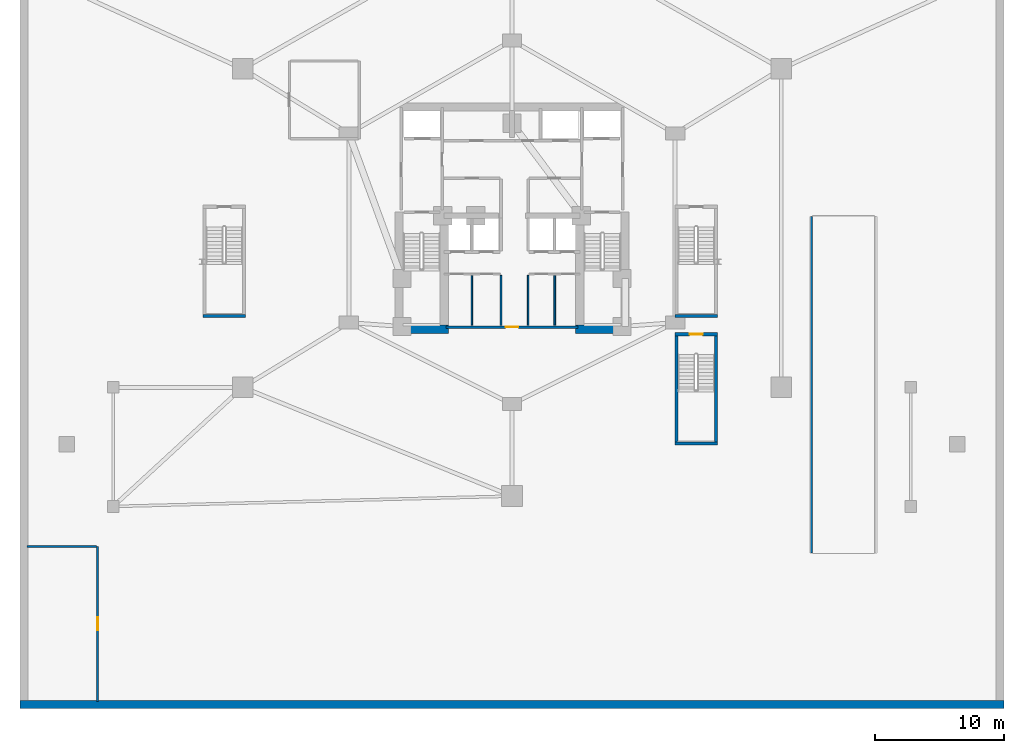
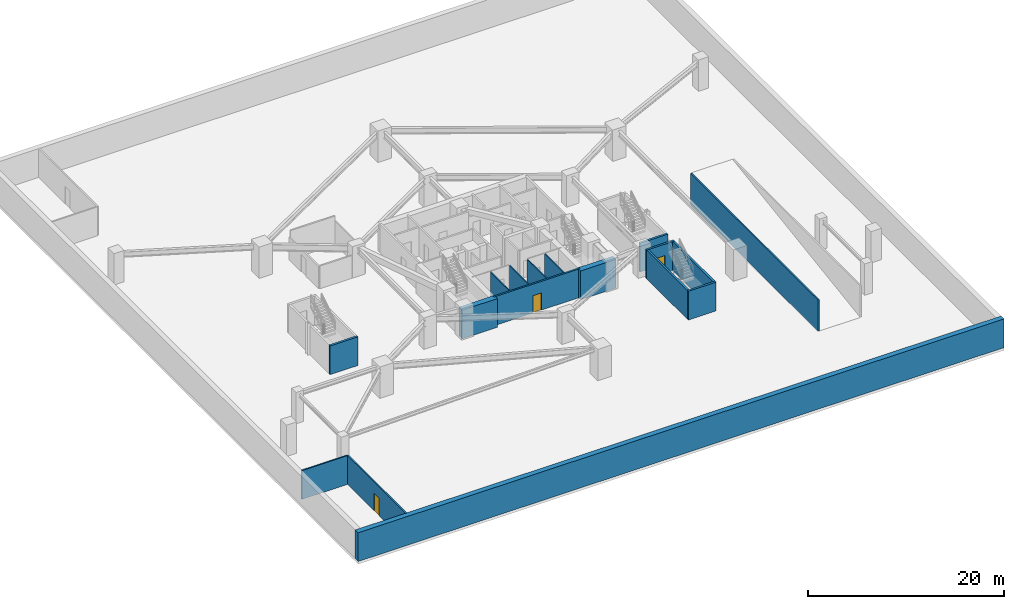
# One storey, part 5 of 12: 17 walls, 3 doors, 3 openings.
"""IFC4 building model written with IfcOpenShell, lengths in metres."""

from ifc_helpers import new_model, si_unit, direction, frame, frame_2d, origin, place, context, subcontext, project, spatial, rectangle, extrude, material, layer, layer_set, type_object, element, fill, save


model = new_model("IFC4")

# Units and contexts
model_context = context("Model", 3, precision=1e-05, world=origin(), true_north=direction((0.0, 1.0)))
body_context = subcontext(model_context, "Body", "Model", "MODEL_VIEW")
ifc_project = project(units=[si_unit("LENGTHUNIT", "METRE"), si_unit("AREAUNIT", "SQUARE_METRE"), si_unit("VOLUMEUNIT", "CUBIC_METRE"), si_unit("PLANEANGLEUNIT", "RADIAN"), si_unit("MASSUNIT", "GRAM", prefix="KILO")], contexts=[model_context])

# Site, building, storey
site_placement = place(None, origin())
site = spatial("IfcSite", under=ifc_project, at=site_placement, CompositionType="ELEMENT")
building_placement = place(site_placement, origin())
building = spatial("IfcBuilding", under=site, at=building_placement, Name="Miruveldt Soraemaru", CompositionType="ELEMENT")
storey_placement = place(building_placement, frame((0.0, 0.0, -7.800048828125)))
storey = spatial("IfcBuildingStorey", under=building, at=storey_placement, Name="B2", CompositionType="ELEMENT", Elevation=-7.800048828125)

# Wall
ifc_material_1 = material(Name="Concrete C50/60 (50 MPa)", Category="concrete")
ifc_layer_1 = layer(ifc_material_1, 0.419921875, Name="Concrete C50/60 (50 MPa)", Category="concrete")
ifc_layer_set_1 = layer_set([ifc_layer_1], Name="Concrete C50/60 (50 MPa)")
wall_type_1 = type_object("IfcWallType", Name="WALL-CW-420", PredefinedType="SHEAR", material=ifc_layer_set_1)
wall_1_placement = place(storey_placement, frame((67.1201171875, 18.02001953125, 0.0), z_axis=(0.0, 0.0, 1.0), x_axis=(0.0, 1.0, 0.0)))
element("IfcWall", 1, at=wall_1_placement, inside=storey, type_object=wall_type_1, Name="B2 Car Park Ramp Shaft Structural Side Wall W", PredefinedType="SHEAR", context=body_context, shape_type="SweptSolid", body=[
    extrude(rectangle(XDim=25.9599609375, YDim=0.159912109375, at=frame_2d((12.97998046875, 0.0))), origin(), (0.0, 0.0, 1.0), 3.900146484375),
])

# Wall, opening, door
wall_2_placement = place(storey_placement, frame((56.580078125, 34.89990234375, 0.0), z_axis=(0.0, 0.0, 1.0), x_axis=(1.0, 0.0, 0.0)))
wall_2 = element("IfcWall", 2, at=wall_2_placement, inside=storey, type_object=wall_type_1, Name="B2 Basement Service Stair ST-5 Structural Shaft Wall N", PredefinedType="SHEAR", context=body_context, shape_type="SweptSolid", body=[
    extrude(rectangle(XDim=3.2900390625, YDim=0.239990234375, at=frame_2d((1.64501953125, 0.0))), origin(), (0.0, 0.0, 1.0), 3.580078125),
])
opening_1_placement = place(wall_2_placement, frame((1.14501953125, 0.0, 0.0)))
opening_1 = element("IfcOpeningElement", 3, at=opening_1_placement, cuts=wall_2, Name="Opening FD1", PredefinedType="OPENING", context=body_context, shape_type="SweptSolid", body=[
    extrude(rectangle(XDim=1.0, YDim=2.14990234375, at=frame_2d((0.5, 1.074951171875))), frame((0.0, 0.1298828125, 0.0), z_axis=(0.0, -1.0, 0.0), x_axis=(1.0, 0.0, 0.0)), (0.0, 0.0, 1.0), 0.260009765625),
])
ifc_material_2 = material(Name="Anodised aluminium EN AW-6063 T6", Category="aluminium")
door_type = type_object("IfcDoorType", Name="DOOR-FD1-1000", OperationType="NOTDEFINED", PredefinedType="DOOR", material=ifc_material_2)
door_1_placement = place(opening_1_placement, frame((1.0, 0.0, 0.0), z_axis=(0.0, 0.0, 1.0), x_axis=(-1.0, 0.0, 0.0)))
door_1 = element("IfcDoor", 4, at=door_1_placement, inside=storey, type_object=door_type, Name="B2 Basement Service Stair ST-5 Fire Door", OperationType="SINGLE_SWING_LEFT", OverallHeight=2.14990234375, OverallWidth=1.0, PredefinedType="DOOR", context=body_context, shape_type="SweptSolid", body=[
    extrude(rectangle(XDim=1.0, YDim=2.14990234375, at=frame_2d((0.5, 1.074951171875))), frame((0.0, 0.02490234375, 0.0), z_axis=(0.0, -1.0, 0.0), x_axis=(1.0, 0.0, 0.0)), (0.0, 0.0, 1.0), 0.050048828125),
])
fill(opening_1, door_1)

# Walls
for number, where, z_axis, x_axis, name in (
    (5, (56.699951171875, 26.5, 0.0), (0.0, 0.0, 1.0), (0.0, 1.0, 0.0), "B2 Basement Service Stair ST-5 Structural Shaft Wall W"),
    (6, (59.75, 26.5, 0.0), (0.0, 0.0, 1.0), (0.0, 1.0, 0.0), "B2 Basement Service Stair ST-5 Structural Shaft Wall E"),
):
    element("IfcWall", number, at=place(storey_placement, frame(where, z_axis=z_axis, x_axis=x_axis)), inside=storey, type_object=wall_type_1, Name=name, PredefinedType="SHEAR", context=body_context, shape_type="SweptSolid", body=[
        extrude(rectangle(XDim=8.35009765625, YDim=0.239990234375, at=frame_2d((4.175048828125, 0.0))), origin(), (0.0, 0.0, 1.0), 3.580078125),
    ])
for number, where, z_axis, x_axis, name in (
    (7, (20.1298828125, 36.300048828125, 0.0), (0.0, 0.0, 1.0), (1.0, 0.0, 0.0), "B2 Protected Exit Stair ST-3 Structural Shaft Wall S"),
    (8, (56.580078125, 36.300048828125, 0.0), (0.0, 0.0, 1.0), (1.0, 0.0, 0.0), "B2 Podium Garden Feature Stair ST-4 Structural Shaft Wall S"),
    (9, (56.580078125, 26.449951171875, 0.0), (0.0, 0.0, 1.0), (1.0, 0.0, 0.0), "B2 Basement Service Stair ST-5 Structural Shaft Wall S"),
):
    element("IfcWall", number, at=place(storey_placement, frame(where, z_axis=z_axis, x_axis=x_axis)), inside=storey, type_object=wall_type_1, Name=name, PredefinedType="SHEAR", context=body_context, shape_type="SweptSolid", body=[
        extrude(rectangle(XDim=3.2900390625, YDim=0.239990234375, at=frame_2d((1.64501953125, 0.0))), origin(), (0.0, 0.0, 1.0), 3.580078125),
    ])
ifc_material_3 = material(Name="Concrete C80/95 (80 MPa)", Category="concrete")
ifc_layer_2 = layer(ifc_material_3, 0.64990234375, Name="Concrete C80/95 (80 MPa)", Category="concrete")
ifc_layer_set_2 = layer_set([ifc_layer_2], Name="Concrete C80/95 (80 MPa)")
wall_type_2 = type_object("IfcWallType", Name="WALL-CW-650", PredefinedType="SHEAR", material=ifc_layer_set_2)
for number, where, z_axis, x_axis, name in (
    (10, (34.949951171875, 35.27490234375, 0.0), (0.0, 0.0, 1.0), (1.0, 0.0, 0.0), "B2 Central Core Shear Wall S1"),
    (11, (48.89990234375, 35.27490234375, 0.0), (0.0, 0.0, 1.0), (1.0, 0.0, 0.0), "B2 Central Core Shear Wall S2"),
):
    element("IfcWall", number, at=place(storey_placement, frame(where, z_axis=z_axis, x_axis=x_axis)), inside=storey, type_object=wall_type_2, Name=name, PredefinedType="SHEAR", context=body_context, shape_type="SweptSolid", body=[
        extrude(rectangle(XDim=4.150146484375, YDim=0.64990234375, at=frame_2d((2.0751953125, 0.0))), origin(), (0.0, 0.0, 1.0), 3.580078125),
    ])
ifc_material_4 = material(Name="Gypsum plasterboard lining", Category="gypsum")
ifc_layer_3 = layer(ifc_material_4, 0.1201171875, Name="Gypsum plasterboard lining", Category="gypsum")
ifc_layer_set_3 = layer_set([ifc_layer_3], Name="Gypsum plasterboard lining")
wall_type_3 = type_object("IfcWallType", Name="WALL-INT-P120", PredefinedType="PARTITIONING", material=ifc_layer_set_3)
for number, where, z_axis, x_axis, name in (
    (12, (43.14990234375, 35.580078125, 0.0), (0.0, 0.0, 1.0), (0.0, 1.0, 0.0), "B2 Core Compartment Wall SP-WS"),
    (13, (45.25, 35.580078125, 0.0), (0.0, 0.0, 1.0), (0.0, 1.0, 0.0), "B2 Core Compartment Wall SP-ES"),
):
    element("IfcWall", number, at=place(storey_placement, frame(where, z_axis=z_axis, x_axis=x_axis)), inside=storey, type_object=wall_type_3, Name=name, PredefinedType="PARTITIONING", context=body_context, shape_type="SweptSolid", body=[
        extrude(rectangle(XDim=3.869873046875, YDim=0.1201171875, at=frame_2d((1.93505859375, 0.0))), origin(), (0.0, 0.0, 1.0), 3.580078125),
    ])
for number, where, z_axis, x_axis, name in (
    (14, (40.89990234375, 35.60009765625, 0.0), (0.0, 0.0, 1.0), (0.0, 1.0, 0.0), "B2 Core Compartment Wall CW2-V"),
    (15, (47.300048828125, 35.60009765625, 0.0), (0.0, 0.0, 1.0), (0.0, 1.0, 0.0), "B2 Core Compartment Wall CE2-V"),
):
    element("IfcWall", number, at=place(storey_placement, frame(where, z_axis=z_axis, x_axis=x_axis)), inside=storey, type_object=wall_type_3, Name=name, PredefinedType="PARTITIONING", context=body_context, shape_type="SweptSolid", body=[
        extrude(rectangle(XDim=3.81982421875, YDim=0.1201171875, at=frame_2d((1.909912109375, 0.0))), origin(), (0.0, 0.0, 1.0), 3.580078125),
    ])

# Wall, opening, door
ifc_material_5 = material(Name="Concrete C40/50 (40 MPa)", Category="concrete")
ifc_layer_4 = layer(ifc_material_5, 0.159912109375, Name="Concrete C40/50 (40 MPa)", Category="concrete")
ifc_layer_set_4 = layer_set([ifc_layer_4], Name="Concrete C40/50 (40 MPa)")
wall_type_4 = type_object("IfcWallType", Name="WALL-INT-RC160", PredefinedType="SOLIDWALL", material=ifc_layer_set_4)
wall_3_placement = place(storey_placement, frame((12.0, 18.5, 0.0), z_axis=(0.0, 0.0, 1.0), x_axis=(0.0, -1.0, 0.0)))
wall_3 = element("IfcWall", 16, at=wall_3_placement, inside=storey, type_object=wall_type_4, Name="B2 Partition Wall 4", PredefinedType="SOLIDWALL", context=body_context, shape_type="SweptSolid", body=[
    extrude(rectangle(XDim=11.949951171875, YDim=0.159912109375, at=frame_2d((5.97509765625, 0.0))), origin(), (0.0, 0.0, 1.0), 3.580078125),
])
opening_2_placement = place(wall_3_placement, frame((5.47509765625, 0.0, 0.0)))
opening_2 = element("IfcOpeningElement", 17, at=opening_2_placement, cuts=wall_3, Name="Opening FD1", PredefinedType="OPENING", context=body_context, shape_type="SweptSolid", body=[
    extrude(rectangle(XDim=1.0, YDim=2.14990234375, at=frame_2d((0.5, 1.074951171875))), frame((0.0, 0.08984375, 0.0), z_axis=(0.0, -1.0, 0.0), x_axis=(1.0, 0.0, 0.0)), (0.0, 0.0, 1.0), 0.179931640625),
])
door_2_placement = place(opening_2_placement, origin())
door_2 = element("IfcDoor", 18, at=door_2_placement, inside=storey, type_object=door_type, Name="B2 Valet Equipment Store Fire Door", OperationType="SINGLE_SWING_LEFT", OverallHeight=2.14990234375, OverallWidth=1.0, PredefinedType="DOOR", context=body_context, shape_type="SweptSolid", body=[
    extrude(rectangle(XDim=1.0, YDim=2.14990234375, at=frame_2d((0.5, 1.074951171875))), frame((0.0, 0.02490234375, 0.0), z_axis=(0.0, -1.0, 0.0), x_axis=(1.0, 0.0, 0.0)), (0.0, 0.0, 1.0), 0.050048828125),
])
fill(opening_2, door_2)

# Wall
wall_4_placement = place(storey_placement, frame((6.550048828125, 18.5, 0.0), z_axis=(0.0, 0.0, 1.0), x_axis=(1.0, 0.0, 0.0)))
element("IfcWall", 19, at=wall_4_placement, inside=storey, type_object=wall_type_4, Name="B2 Partition Wall 3", PredefinedType="SOLIDWALL", context=body_context, shape_type="SweptSolid", body=[
    extrude(rectangle(XDim=5.369873046875, YDim=0.159912109375, at=frame_2d((2.68505859375, 0.0))), origin(), (0.0, 0.0, 1.0), 3.580078125),
])

# Wall, opening, door
ifc_layer_5 = layer(ifc_material_5, 0.199951171875, Name="Concrete C40/50 (40 MPa)", Category="concrete")
ifc_layer_set_5 = layer_set([ifc_layer_5], Name="Concrete C40/50 (40 MPa)")
wall_type_5 = type_object("IfcWallType", Name="WALL-INT-RC200", PredefinedType="SOLIDWALL", material=ifc_layer_set_5)
wall_5_placement = place(storey_placement, frame((38.89990234375, 35.449951171875, 0.0), z_axis=(0.0, 0.0, 1.0), x_axis=(1.0, 0.0, 0.0)))
wall_5 = element("IfcWall", 20, at=wall_5_placement, inside=storey, type_object=wall_type_5, Name="B2 Core Compartment Wall CS-S", PredefinedType="SOLIDWALL", context=body_context, shape_type="SweptSolid", body=[
    extrude(rectangle(XDim=10.2001953125, YDim=0.199951171875, at=frame_2d((5.10009765625, 0.0))), origin(), (0.0, 0.0, 1.0), 3.580078125),
])
opening_3_placement = place(wall_5_placement, frame((4.60009765625, 0.0, 0.0)))
opening_3 = element("IfcOpeningElement", 21, at=opening_3_placement, cuts=wall_5, Name="Opening FD1", PredefinedType="OPENING", context=body_context, shape_type="SweptSolid", body=[
    extrude(rectangle(XDim=1.0, YDim=2.14990234375, at=frame_2d((0.5, 1.074951171875))), frame((0.0, 0.10986328125, 0.0), z_axis=(0.0, -1.0, 0.0), x_axis=(1.0, 0.0, 0.0)), (0.0, 0.0, 1.0), 0.219970703125),
])
door_3_placement = place(opening_3_placement, origin())
door_3 = element("IfcDoor", 22, at=door_3_placement, inside=storey, type_object=door_type, Name="B2 Core South Lobby Fire Door", OperationType="SINGLE_SWING_LEFT", OverallHeight=2.14990234375, OverallWidth=1.0, PredefinedType="DOOR", context=body_context, shape_type="SweptSolid", body=[
    extrude(rectangle(XDim=1.0, YDim=2.14990234375, at=frame_2d((0.5, 1.074951171875))), frame((0.0, 0.02490234375, 0.0), z_axis=(0.0, -1.0, 0.0), x_axis=(1.0, 0.0, 0.0)), (0.0, 0.0, 1.0), 0.050048828125),
])
fill(opening_3, door_3)

# Wall
ifc_layer_6 = layer(ifc_material_1, 0.60009765625, Name="Concrete C50/60 (50 MPa)", Category="concrete")
ifc_layer_set_6 = layer_set([ifc_layer_6], Name="Concrete C50/60 (50 MPa)")
wall_type_6 = type_object("IfcWallType", Name="WALL-RET-600", PredefinedType="SOLIDWALL", material=ifc_layer_set_6)
wall_6_placement = place(storey_placement, frame((6.0, 6.300048828125, 0.0), z_axis=(0.0, 0.0, 1.0), x_axis=(1.0, 0.0, 0.0)))
element("IfcWall", 23, at=wall_6_placement, inside=storey, type_object=wall_type_6, Name="B2 Perimeter Slurry Retaining Wall S", PredefinedType="SOLIDWALL", context=body_context, shape_type="SweptSolid", body=[
    extrude(rectangle(XDim=76.0, YDim=0.60009765625, at=frame_2d((38.0, 0.0))), origin(), (0.0, 0.0, 1.0), 3.580078125),
])

save(model, "model.ifc")
